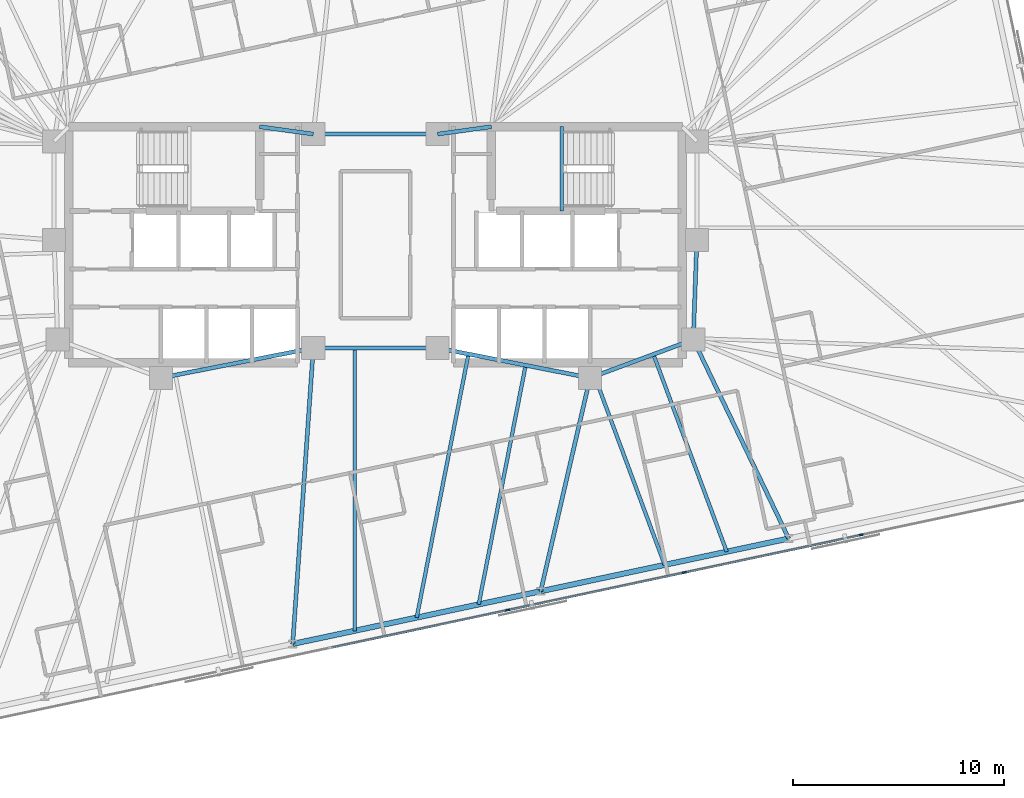
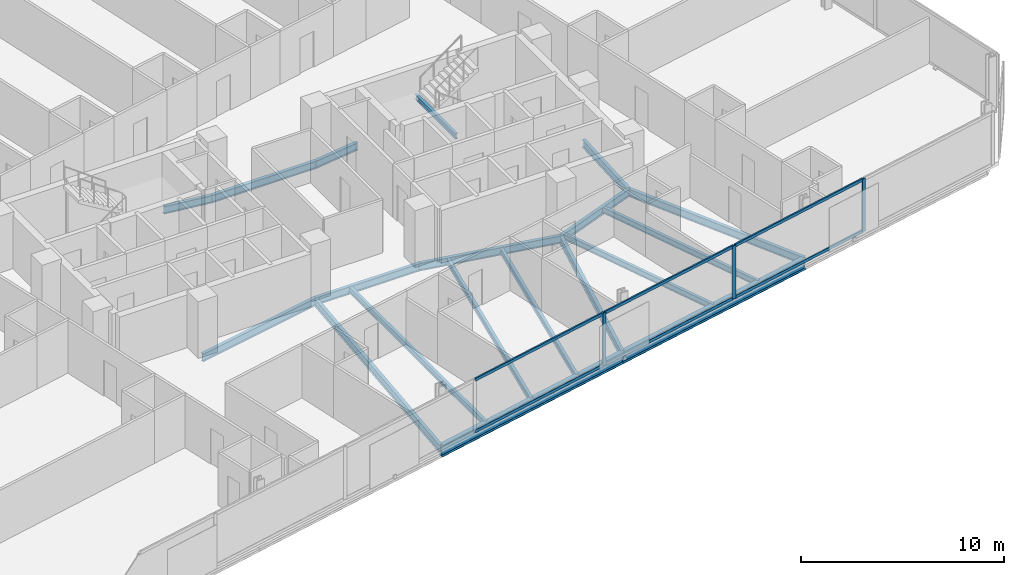
# One storey, part 7 of 20: 19 beams, 9 members, 1 element without a shape of its own.
"""IFC4 building model written with IfcOpenShell, lengths in metres."""

from ifc_helpers import new_model, si_unit, direction, frame, origin, origin_2d, place, context, subcontext, project, spatial, rectangle, i_section, extrude, material, material_profile, profile_set, type_object, element, aggregate, save


model = new_model("IFC4")

# Units and contexts
model_context = context("Model", 3, precision=1e-05, world=origin(), true_north=direction((0.0, 1.0)))
body_context = subcontext(model_context, "Body", "Model", "MODEL_VIEW")
ifc_project = project(units=[si_unit("LENGTHUNIT", "METRE"), si_unit("AREAUNIT", "SQUARE_METRE"), si_unit("VOLUMEUNIT", "CUBIC_METRE"), si_unit("PLANEANGLEUNIT", "RADIAN"), si_unit("MASSUNIT", "GRAM", prefix="KILO")], contexts=[model_context])

# Site, building, storey
site_placement = place(None, origin())
site = spatial("IfcSite", under=ifc_project, at=site_placement, CompositionType="ELEMENT")
building_placement = place(site_placement, origin())
building = spatial("IfcBuilding", under=site, at=building_placement, Name="Menara Jurai Vektor", CompositionType="ELEMENT")
storey_placement = place(building_placement, frame((0.0, 0.0, 158.199951171875)))
storey = spatial("IfcBuildingStorey", under=building, at=storey_placement, Name="L40", CompositionType="ELEMENT", Elevation=158.199951171875)

# Curtain wall, members
ifc_material_1 = material(Name="Anodised Pale Aluminium & Low-E Double Glazing", Category="aluminium")
curtain_wall_type = type_object("IfcCurtainWallType", Name="CW-BLK3", PredefinedType="NOTDEFINED", material=ifc_material_1)
curtain_wall_placement = place(storey_placement, origin())
curtain_wall = element("IfcCurtainWall", 1, at=curtain_wall_placement, inside=storey, type_object=curtain_wall_type, Name="Unitised Curtain Wall L40 F01", PredefinedType="NOTDEFINED")
ifc_material_2 = material(Name="Anodised Pale Aluminium Mullion", Category="aluminium")
ifc_material_profile_1 = material_profile(ifc_material_2, rectangle(XDim=0.0849609375, YDim=0.205078125, at=origin_2d()), Name="ALU MUL 85x205")
ifc_profile_set_1 = profile_set([ifc_material_profile_1], Name="Anodised Pale Aluminium Mullion")
member_type_1 = type_object("IfcMemberType", Name="CW-BLK3-MUL", PredefinedType="MULLION", material=ifc_profile_set_1)
member_1_placement = place(storey_placement, frame((6.264892578125, -17.338623046875, 0.0), z_axis=(0.0, 0.0, 1.0), x_axis=(-0.207911344156, 0.978147674419, 0.0)))
member_1 = element("IfcMember", 2, at=member_1_placement, type_object=member_type_1, Name="CW-03 mullion 5", PredefinedType="MULLION", context=body_context, shape_type="SweptSolid", body=[
    extrude(rectangle(XDim=0.0849609375, YDim=0.205078125, at=origin_2d()), origin(), (0.0, 0.0, 1.0), 3.175048828125),
])
member_2_placement = place(storey_placement, frame((14.65478515625, -15.55517578125, 0.0), z_axis=(0.0, 0.0, 1.0), x_axis=(-0.207911344156, 0.978147674419, 0.0)))
member_2 = element("IfcMember", 3, at=member_2_placement, type_object=member_type_1, Name="CW-03 mullion 6", PredefinedType="MULLION", context=body_context, shape_type="SweptSolid", body=[
    extrude(rectangle(XDim=0.0849609375, YDim=0.205078125, at=origin_2d()), origin(), (0.0, 0.0, 1.0), 3.175048828125),
])
member_3_placement = place(storey_placement, frame((23.04443359375, -13.77197265625, 0.0), z_axis=(0.0, 0.0, 1.0), x_axis=(-0.207911344156, 0.978147674419, 0.0)))
member_3 = element("IfcMember", 4, at=member_3_placement, type_object=member_type_1, Name="CW-03 mullion 7", PredefinedType="MULLION", context=body_context, shape_type="SweptSolid", body=[
    extrude(rectangle(XDim=0.0849609375, YDim=0.205078125, at=origin_2d()), origin(), (0.0, 0.0, 1.0), 3.175048828125),
])
ifc_material_3 = material(Name="Anodised Pale Aluminium Transom", Category="aluminium")
ifc_material_profile_2 = material_profile(ifc_material_3, rectangle(XDim=0.0849609375, YDim=0.175048828125, at=origin_2d()), Name="ALU TRN 85x175")
ifc_profile_set_2 = profile_set([ifc_material_profile_2], Name="Anodised Pale Aluminium Transom")
member_type_2 = type_object("IfcMemberType", Name="CW-BLK3-TRN", PredefinedType="USERDEFINED", material=ifc_profile_set_2)
member_4_placement = place(storey_placement, frame((-2.083251953125, -19.113037109375, 0.04248046875), z_axis=(0.978147743708, 0.207911018178, 0.0), x_axis=(-0.207911018178, 0.978147743708, 0.0)))
member_4 = element("IfcMember", 5, at=member_4_placement, type_object=member_type_2, Name="CW-03 transom 4.1", ObjectType="TRANSOM", PredefinedType="USERDEFINED", context=body_context, shape_type="SweptSolid", body=[
    extrude(rectangle(XDim=0.0849609375, YDim=0.175048828125, at=origin_2d()), origin(), (0.0, 0.0, 1.0), 8.4921875),
])
member_5_placement = place(storey_placement, frame((-2.083251953125, -19.113037109375, 3.132568359375), z_axis=(0.978147743708, 0.207911018178, 0.0), x_axis=(-0.207911018178, 0.978147743708, 0.0)))
member_5 = element("IfcMember", 6, at=member_5_placement, type_object=member_type_2, Name="CW-03 transom 4.2", ObjectType="TRANSOM", PredefinedType="USERDEFINED", context=body_context, shape_type="SweptSolid", body=[
    extrude(rectangle(XDim=0.0849609375, YDim=0.175048828125, at=origin_2d()), origin(), (0.0, 0.0, 1.0), 8.4921875),
])
member_6_placement = place(storey_placement, frame((6.306640625, -17.329833984375, 0.04248046875), z_axis=(0.978146500933, 0.207916864907, 0.0), x_axis=(-0.207916864907, 0.978146500933, 0.0)))
member_6 = element("IfcMember", 7, at=member_6_placement, type_object=member_type_2, Name="CW-03 transom 5.1", ObjectType="TRANSOM", PredefinedType="USERDEFINED", context=body_context, shape_type="SweptSolid", body=[
    extrude(rectangle(XDim=0.0849609375, YDim=0.175048828125, at=origin_2d()), origin(), (0.0, 0.0, 1.0), 8.491943359375),
])
member_7_placement = place(storey_placement, frame((6.306640625, -17.329833984375, 3.132568359375), z_axis=(0.978146500933, 0.207916864907, 0.0), x_axis=(-0.207916864907, 0.978146500933, 0.0)))
member_7 = element("IfcMember", 8, at=member_7_placement, type_object=member_type_2, Name="CW-03 transom 5.2", ObjectType="TRANSOM", PredefinedType="USERDEFINED", context=body_context, shape_type="SweptSolid", body=[
    extrude(rectangle(XDim=0.0849609375, YDim=0.175048828125, at=origin_2d()), origin(), (0.0, 0.0, 1.0), 8.491943359375),
])
member_8_placement = place(storey_placement, frame((14.6962890625, -15.54638671875, 0.04248046875), z_axis=(0.978147743708, 0.207911018178, 0.0), x_axis=(-0.207911018178, 0.978147743708, 0.0)))
member_8 = element("IfcMember", 9, at=member_8_placement, type_object=member_type_2, Name="CW-03 transom 6.1", ObjectType="TRANSOM", PredefinedType="USERDEFINED", context=body_context, shape_type="SweptSolid", body=[
    extrude(rectangle(XDim=0.0849609375, YDim=0.175048828125, at=origin_2d()), origin(), (0.0, 0.0, 1.0), 8.4921875),
])
member_9_placement = place(storey_placement, frame((14.6962890625, -15.54638671875, 3.132568359375), z_axis=(0.978147743708, 0.207911018178, 0.0), x_axis=(-0.207911018178, 0.978147743708, 0.0)))
member_9 = element("IfcMember", 10, at=member_9_placement, type_object=member_type_2, Name="CW-03 transom 6.2", ObjectType="TRANSOM", PredefinedType="USERDEFINED", context=body_context, shape_type="SweptSolid", body=[
    extrude(rectangle(XDim=0.0849609375, YDim=0.175048828125, at=origin_2d()), origin(), (0.0, 0.0, 1.0), 8.4921875),
])
aggregate(curtain_wall, [member_1, member_2, member_3, member_4, member_5, member_6, member_7, member_8, member_9])

# Beams
ifc_material_4 = material(Name="Steel S355", Category="steel")
ifc_material_profile_3 = material_profile(ifc_material_4, i_section(OverallWidth=0.19091796875, OverallDepth=0.4599609375, WebThickness=0.010009765625, FlangeThickness=0.01611328125, FilletRadius=0.010009765625, at=origin_2d()), Name="UKB 457x191x82")
ifc_profile_set_3 = profile_set([ifc_material_profile_3], Name="Steel S355")
beam_type_1 = type_object("IfcBeamType", Name="STR-BM-457", PredefinedType="BEAM", material=ifc_profile_set_3)
beam_1_placement = place(storey_placement, frame((-5.5, 5.60009765625, -0.454833984375), z_axis=(0.990706818608, -0.136014703483, 0.0), x_axis=(0.136014703483, 0.990706818608, 0.0)))
element("IfcBeam", 11, at=beam_1_placement, inside=storey, type_object=beam_type_1, Name="Core Ring Header Girder L40-CHW-N2", PredefinedType="BEAM", context=body_context, shape_type="SweptSolid", body=[
    extrude(i_section(OverallWidth=0.19091796875, OverallDepth=0.4599609375, WebThickness=0.010009765625, FlangeThickness=0.01611328125, FilletRadius=0.010009765625, at=origin_2d()), origin(), (0.0, 0.0, 1.0), 2.573974609375),
])
beam_2_placement = place(storey_placement, frame((-10.179931640625, -6.320068359375, -0.454833984375), z_axis=(0.981249044334, 0.192744164614, 0.0), x_axis=(-0.192744164614, 0.981249044334, 0.0)))
element("IfcBeam", 12, at=beam_2_placement, inside=storey, type_object=beam_type_1, Name="Core Ring Header Girder L40-CHW-S2", PredefinedType="BEAM", context=body_context, shape_type="SweptSolid", body=[
    extrude(i_section(OverallWidth=0.19091796875, OverallDepth=0.4599609375, WebThickness=0.010009765625, FlangeThickness=0.01611328125, FilletRadius=0.010009765625, at=origin_2d()), origin(), (0.0, 0.0, 1.0), 7.3681640625),
])
beam_3_placement = place(storey_placement, frame((2.949951171875, 5.25, -0.454833984375), z_axis=(0.990706818608, 0.136014703483, 0.0), x_axis=(-0.136014703483, 0.990706818608, 0.0)))
element("IfcBeam", 13, at=beam_3_placement, inside=storey, type_object=beam_type_1, Name="Core Ring Header Girder L40-CHE-N1", PredefinedType="BEAM", context=body_context, shape_type="SweptSolid", body=[
    extrude(i_section(OverallWidth=0.19091796875, OverallDepth=0.4599609375, WebThickness=0.010009765625, FlangeThickness=0.01611328125, FilletRadius=0.010009765625, at=origin_2d()), origin(), (0.0, 0.0, 1.0), 2.573974609375),
])
beam_4_placement = place(storey_placement, frame((15.080078125, -4.5, -0.454833984375), z_axis=(0.035977314146, 0.999352606874, 0.0), x_axis=(-0.999352606874, 0.035977314146, 0.0)))
element("IfcBeam", 14, at=beam_4_placement, inside=storey, type_object=beam_type_1, Name="Core Ring Header Girder L40-CHE-E2", PredefinedType="BEAM", context=body_context, shape_type="SweptSolid", body=[
    extrude(i_section(OverallWidth=0.19091796875, OverallDepth=0.4599609375, WebThickness=0.010009765625, FlangeThickness=0.01611328125, FilletRadius=0.010009765625, at=origin_2d()), origin(), (0.0, 0.0, 1.0), 4.72314453125),
])
beam_5_placement = place(storey_placement, frame((10.179931640625, -6.320068359375, -0.454833984375), z_axis=(0.937424400887, 0.348188874925, 0.0), x_axis=(-0.348188874925, 0.937424400887, 0.0)))
element("IfcBeam", 15, at=beam_5_placement, inside=storey, type_object=beam_type_1, Name="Core Ring Header Girder L40-CHE-S1", PredefinedType="BEAM", context=body_context, shape_type="SweptSolid", body=[
    extrude(i_section(OverallWidth=0.19091796875, OverallDepth=0.4599609375, WebThickness=0.010009765625, FlangeThickness=0.01611328125, FilletRadius=0.010009765625, at=origin_2d()), origin(), (0.0, 0.0, 1.0), 5.227294921875),
])
beam_6_placement = place(storey_placement, frame((2.949951171875, -4.89990234375, -0.454833984375), z_axis=(0.981249044334, -0.192744164614, 0.0), x_axis=(0.192744164614, 0.981249044334, 0.0)))
element("IfcBeam", 16, at=beam_6_placement, inside=storey, type_object=beam_type_1, Name="Core Ring Header Girder L40-CHE-S2", PredefinedType="BEAM", context=body_context, shape_type="SweptSolid", body=[
    extrude(i_section(OverallWidth=0.19091796875, OverallDepth=0.4599609375, WebThickness=0.010009765625, FlangeThickness=0.01611328125, FilletRadius=0.010009765625, at=origin_2d()), origin(), (0.0, 0.0, 1.0), 7.3681640625),
])
for number, where, z_axis, x_axis, name in (
    (17, (-2.949951171875, -4.89990234375, -0.454833984375), (1.0, 0.0, 0.0), (0.0, 1.0, 0.0), "Core Ring Header Girder L40-CC-1"),
    (18, (-2.949951171875, 5.25, -0.454833984375), (1.0, 0.0, 0.0), (0.0, 1.0, 0.0), "Core Ring Header Girder L40-CC-2"),
):
    element("IfcBeam", number, at=place(storey_placement, frame(where, z_axis=z_axis, x_axis=x_axis)), inside=storey, type_object=beam_type_1, Name=name, PredefinedType="BEAM", context=body_context, shape_type="SweptSolid", body=[
        extrude(i_section(OverallWidth=0.19091796875, OverallDepth=0.4599609375, WebThickness=0.010009765625, FlangeThickness=0.01611328125, FilletRadius=0.010009765625, at=origin_2d()), origin(), (0.0, 0.0, 1.0), 5.89990234375),
    ])
beam_7_placement = place(storey_placement, frame((-3.928466796875, -18.94287109375, -0.454833984375), z_axis=(0.06951156523, 0.997581145722, 0.0), x_axis=(-0.997581145722, 0.06951156523, 0.0)))
element("IfcBeam", 19, at=beam_7_placement, inside=storey, type_object=beam_type_1, Name="Radial Floor Girder L40-S3", PredefinedType="BEAM", context=body_context, shape_type="SweptSolid", body=[
    extrude(i_section(OverallWidth=0.19091796875, OverallDepth=0.4599609375, WebThickness=0.010009765625, FlangeThickness=0.01611328125, FilletRadius=0.010009765625, at=origin_2d()), origin(), (0.0, 0.0, 1.0), 14.076904296875),
])
beam_8_placement = place(storey_placement, frame((7.83984375, -16.44140625, -0.454833984375), z_axis=(0.225261124248, 0.974298427538, 0.0), x_axis=(-0.974298427538, 0.225261124248, 0.0)))
element("IfcBeam", 20, at=beam_8_placement, inside=storey, type_object=beam_type_1, Name="Radial Floor Girder L40-S4", PredefinedType="BEAM", context=body_context, shape_type="SweptSolid", body=[
    extrude(i_section(OverallWidth=0.19091796875, OverallDepth=0.4599609375, WebThickness=0.010009765625, FlangeThickness=0.01611328125, FilletRadius=0.010009765625, at=origin_2d()), origin(), (0.0, 0.0, 1.0), 10.388427734375),
])
beam_9_placement = place(storey_placement, frame((19.608154296875, -13.940185546875, -0.454833984375), z_axis=(-0.432481646932, 0.901642736935, 0.0), x_axis=(-0.901642736935, -0.432481646932, 0.0)))
element("IfcBeam", 21, at=beam_9_placement, inside=storey, type_object=beam_type_1, Name="Radial Floor Girder L40-S5", PredefinedType="BEAM", context=body_context, shape_type="SweptSolid", body=[
    extrude(i_section(OverallWidth=0.19091796875, OverallDepth=0.4599609375, WebThickness=0.010009765625, FlangeThickness=0.01611328125, FilletRadius=0.010009765625, at=origin_2d()), origin(), (0.0, 0.0, 1.0), 10.469970703125),
])
ifc_material_profile_4 = material_profile(ifc_material_4, i_section(OverallWidth=0.172119140625, OverallDepth=0.35498046875, WebThickness=0.007080078125, FlangeThickness=0.011962890625, FilletRadius=0.010009765625, at=origin_2d()), Name="UKB 356x171x51")
ifc_profile_set_4 = profile_set([ifc_material_profile_4], Name="Steel S355")
beam_type_2 = type_object("IfcBeamType", Name="STR-JS-356", PredefinedType="JOIST", material=ifc_profile_set_4)
beam_10_placement = place(storey_placement, frame((-0.986328125, -18.3173828125, -0.40234375), z_axis=(0.0, 1.0, 0.0), x_axis=(-1.0, 0.0, 0.0)))
element("IfcBeam", 22, at=beam_10_placement, inside=storey, type_object=beam_type_2, Name="Radial Secondary Floor Joist L40-JS05", PredefinedType="JOIST", context=body_context, shape_type="SweptSolid", body=[
    extrude(i_section(OverallWidth=0.172119140625, OverallDepth=0.35498046875, WebThickness=0.007080078125, FlangeThickness=0.011962890625, FilletRadius=0.010009765625, at=origin_2d()), origin(), (0.0, 0.0, 1.0), 13.41748046875),
])
beam_11_placement = place(storey_placement, frame((1.955810546875, -17.692138671875, -0.40234375), z_axis=(0.192721917664, 0.981253413982, 0.0), x_axis=(-0.981253413982, 0.192721917664, 0.0)))
element("IfcBeam", 23, at=beam_11_placement, inside=storey, type_object=beam_type_2, Name="Radial Secondary Floor Joist L40-JS06", PredefinedType="JOIST", context=body_context, shape_type="SweptSolid", body=[
    extrude(i_section(OverallWidth=0.172119140625, OverallDepth=0.35498046875, WebThickness=0.007080078125, FlangeThickness=0.011962890625, FilletRadius=0.010009765625, at=origin_2d()), origin(), (0.0, 0.0, 1.0), 12.744140625),
])
beam_12_placement = place(storey_placement, frame((4.897705078125, -17.06689453125, -0.40234375), z_axis=(0.19272061905, 0.981253669034, 0.0), x_axis=(-0.981253669034, 0.19272061905, 0.0)))
element("IfcBeam", 24, at=beam_12_placement, inside=storey, type_object=beam_type_2, Name="Radial Secondary Floor Joist L40-JS07", PredefinedType="JOIST", context=body_context, shape_type="SweptSolid", body=[
    extrude(i_section(OverallWidth=0.172119140625, OverallDepth=0.35498046875, WebThickness=0.007080078125, FlangeThickness=0.011962890625, FilletRadius=0.010009765625, at=origin_2d()), origin(), (0.0, 0.0, 1.0), 11.5634765625),
])
beam_13_placement = place(storey_placement, frame((13.72412109375, -15.19091796875, -0.40234375), z_axis=(-0.348196799641, 0.93742145736, 0.0), x_axis=(-0.93742145736, -0.348196799641, 0.0)))
element("IfcBeam", 25, at=beam_13_placement, inside=storey, type_object=beam_type_2, Name="Radial Secondary Floor Joist L40-JS08", PredefinedType="JOIST", context=body_context, shape_type="SweptSolid", body=[
    extrude(i_section(OverallWidth=0.172119140625, OverallDepth=0.35498046875, WebThickness=0.007080078125, FlangeThickness=0.011962890625, FilletRadius=0.010009765625, at=origin_2d()), origin(), (0.0, 0.0, 1.0), 9.5498046875),
])
beam_14_placement = place(storey_placement, frame((16.666015625, -14.5654296875, -0.40234375), z_axis=(-0.348180392292, 0.93742755156, 0.0), x_axis=(-0.93742755156, -0.348180392292, 0.0)))
element("IfcBeam", 26, at=beam_14_placement, inside=storey, type_object=beam_type_2, Name="Radial Secondary Floor Joist L40-JS09", PredefinedType="JOIST", context=body_context, shape_type="SweptSolid", body=[
    extrude(i_section(OverallWidth=0.172119140625, OverallDepth=0.35498046875, WebThickness=0.007080078125, FlangeThickness=0.011962890625, FilletRadius=0.010009765625, at=origin_2d()), origin(), (0.0, 0.0, 1.0), 9.98779296875),
])
ifc_material_profile_5 = material_profile(ifc_material_4, i_section(OverallWidth=0.1650390625, OverallDepth=0.302978515625, WebThickness=0.006103515625, FlangeThickness=0.010009765625, FilletRadius=0.009033203125, at=origin_2d()), Name="UKB 305x165x40")
ifc_profile_set_5 = profile_set([ifc_material_profile_5], Name="Steel S355")
beam_type_3 = type_object("IfcBeamType", Name="STR-LN-305", PredefinedType="LINTEL", material=ifc_profile_set_5)
beam_15_placement = place(storey_placement, frame((8.830078125, 1.60009765625, 1.3486328125), z_axis=(0.0, 1.0, 0.0), x_axis=(-1.0, 0.0, 0.0)))
element("IfcBeam", 27, at=beam_15_placement, inside=storey, type_object=beam_type_3, Name="Stair Half-Landing Nosing Trimmer ST2-1 L40", PredefinedType="LINTEL", context=body_context, shape_type="SweptSolid", body=[
    extrude(i_section(OverallWidth=0.1650390625, OverallDepth=0.302978515625, WebThickness=0.006103515625, FlangeThickness=0.010009765625, FilletRadius=0.009033203125, at=origin_2d()), origin(), (0.0, 0.0, 1.0), 4.0),
])
ifc_material_5 = material(Name="Steel S460", Category="steel")
ifc_material_profile_6 = material_profile(ifc_material_5, i_section(OverallWidth=0.256103515625, OverallDepth=0.693115234375, WebThickness=0.013916015625, FlangeThickness=0.02392578125, FilletRadius=0.014892578125, at=origin_2d()), Name="UKB 686x254x170")
ifc_profile_set_6 = profile_set([ifc_material_profile_6], Name="Steel S460")
beam_type_4 = type_object("IfcBeamType", Name="STR-SP-686", PredefinedType="SPANDREL", material=ifc_profile_set_6)
for number, where, z_axis, x_axis, name in (
    (28, (-3.928466796875, -18.94287109375, -0.571533203125), (0.978147039247, 0.207914332389, 0.0), (-0.207914332389, 0.978147039247, 0.0), "Exoskeleton Spandrel Beam L40-03"),
    (29, (7.83984375, -16.44140625, -0.571533203125), (0.978151165921, 0.207894917222, 0.0), (-0.207894917222, 0.978151165921, 0.0), "Exoskeleton Spandrel Beam L40-04"),
):
    element("IfcBeam", number, at=place(storey_placement, frame(where, z_axis=z_axis, x_axis=x_axis)), inside=storey, type_object=beam_type_4, Name=name, PredefinedType="SPANDREL", context=body_context, shape_type="SweptSolid", body=[
        extrude(i_section(OverallWidth=0.256103515625, OverallDepth=0.693115234375, WebThickness=0.013916015625, FlangeThickness=0.02392578125, FilletRadius=0.014892578125, at=origin_2d()), origin(), (0.0, 0.0, 1.0), 12.03125),
    ])

save(model, "model.ifc")
